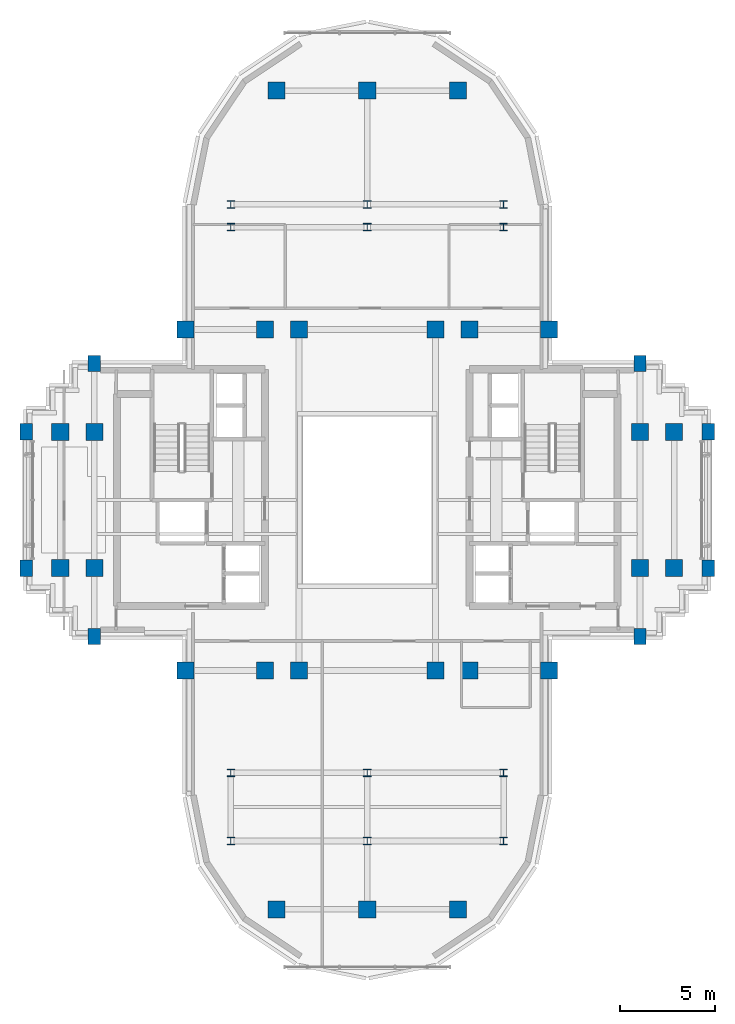
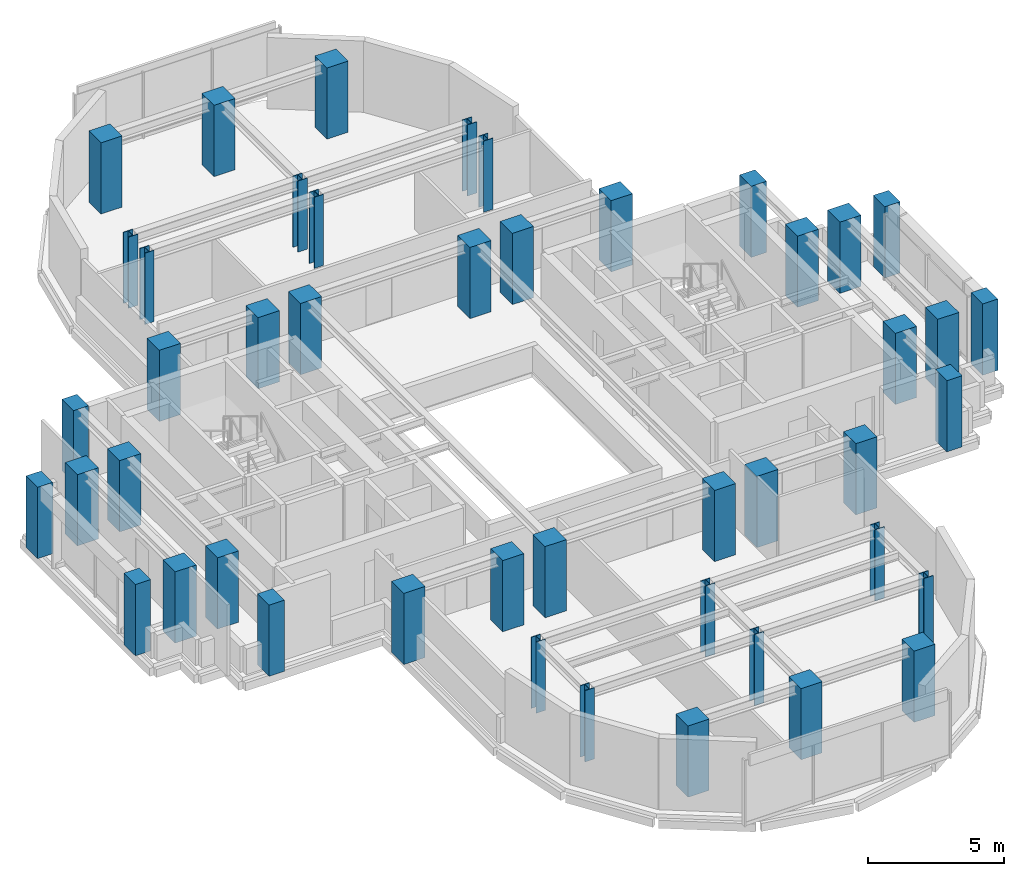
# One storey, part 1 of 11: 46 columns.
"""IFC4 building model written with IfcOpenShell, lengths in metres."""

from ifc_helpers import new_model, si_unit, direction, frame, origin, origin_2d, place, context, subcontext, project, spatial, rectangle, i_section, extrude, source, transform, mapped, material, material_profile, profile_set, type_object, element, save


model = new_model("IFC4")

# Units and contexts
model_context = context("Model", 3, precision=1e-05, world=origin(), true_north=direction((0.0, 1.0)))
body_context = subcontext(model_context, "Body", "Model", "MODEL_VIEW")
ifc_project = project(units=[si_unit("LENGTHUNIT", "METRE"), si_unit("AREAUNIT", "SQUARE_METRE"), si_unit("VOLUMEUNIT", "CUBIC_METRE"), si_unit("PLANEANGLEUNIT", "RADIAN"), si_unit("MASSUNIT", "GRAM", prefix="KILO")], contexts=[model_context])

# Site, building, storey
site_placement = place(None, origin())
site = spatial("IfcSite", under=ifc_project, at=site_placement, CompositionType="ELEMENT")
building_placement = place(site_placement, origin())
building = spatial("IfcBuilding", under=site, at=building_placement, Name="Keilestroom Media Tower", CompositionType="ELEMENT")
storey_placement = place(building_placement, frame((0.0, 0.0, 170.60009765625)))
storey = spatial("IfcBuildingStorey", under=building, at=storey_placement, Name="L46", CompositionType="ELEMENT", Elevation=170.60009765625)

# Columns
ifc_material_1 = material(Name="Precast concrete C40/50", Category="concrete")
ifc_material_profile_1 = material_profile(ifc_material_1, rectangle(XDim=0.64990234375, YDim=0.85009765625, at=origin_2d()), Name="PC 850x650")
ifc_profile_set_1 = profile_set([ifc_material_profile_1], Name="Precast concrete C40/50")
column_type_1 = type_object("IfcColumnType", Name="Structural-Column-PC-850x650", PredefinedType="COLUMN", material=ifc_profile_set_1)
shared_shape_1 = source(origin(), body_context, "Body", "SweptSolid", [
    extrude(rectangle(XDim=0.64990234375, YDim=0.85009765625, at=origin_2d()), origin(), (0.0, 0.0, 1.0), 3.199951171875),
])
for number, where, z_axis, x_axis, name in (
    (1, (-18.0, -3.60009765625, 0.0), (0.0, 0.0, 1.0), (1.0, 0.0, 0.0), "L46 Column PC-2 (-18.0,-3.6)"),
    (2, (-18.0, 3.60009765625, 0.0), (0.0, 0.0, 1.0), (1.0, 0.0, 0.0), "L46 Column PC-2 (-18.0,+3.6)"),
    (3, (-14.39990234375, -7.199951171875, 0.0), (0.0, 0.0, 1.0), (1.0, 0.0, 0.0), "L46 Column PC-2 (-14.4,-7.2)"),
    (4, (-14.39990234375, 7.199951171875, 0.0), (0.0, 0.0, 1.0), (1.0, 0.0, 0.0), "L46 Column PC-2 (-14.4,+7.2)"),
    (5, (14.39990234375, -7.199951171875, 0.0), (0.0, 0.0, 1.0), (1.0, 0.0, 0.0), "L46 Column PC-2 (+14.4,-7.2)"),
    (6, (14.39990234375, 7.199951171875, 0.0), (0.0, 0.0, 1.0), (1.0, 0.0, 0.0), "L46 Column PC-2 (+14.4,+7.2)"),
    (7, (18.0, -3.60009765625, 0.0), (0.0, 0.0, 1.0), (1.0, 0.0, 0.0), "L46 Column PC-2 (+18.0,-3.6)"),
    (8, (18.0, 3.60009765625, 0.0), (0.0, 0.0, 1.0), (1.0, 0.0, 0.0), "L46 Column PC-2 (+18.0,+3.6)"),
):
    element("IfcColumn", number, at=place(storey_placement, frame(where, z_axis=z_axis, x_axis=x_axis)), inside=storey, type_object=column_type_1, Name=name, PredefinedType="COLUMN", context=body_context, shape_type="MappedRepresentation", body=[
        mapped(shared_shape_1, transform((0.0, 0.0, 0.0), x_axis=(1.0, 0.0, 0.0), y_axis=(0.0, 1.0, 0.0), z_axis=(0.0, 0.0, 1.0), scale=1.0)),
    ])
ifc_material_2 = material(Name="Concrete C55/67", Category="concrete")
ifc_material_profile_2 = material_profile(ifc_material_2, rectangle(XDim=0.89990234375, YDim=0.89990234375, at=origin_2d()), Name="RC 900x900")
ifc_profile_set_2 = profile_set([ifc_material_profile_2], Name="Concrete C55/67")
column_type_2 = type_object("IfcColumnType", Name="Structural-Column-RC-900x900", PredefinedType="COLUMN", material=ifc_profile_set_2)
shared_shape_2 = source(origin(), body_context, "Body", "SweptSolid", [
    extrude(rectangle(XDim=0.89990234375, YDim=0.89990234375, at=origin_2d()), origin(), (0.0, 0.0, 1.0), 3.199951171875),
])
for number, where, z_axis, x_axis, name in (
    (9, (-16.199951171875, -3.60009765625, 0.0), (0.0, 0.0, 1.0), (1.0, 0.0, 0.0), "L46 Column MC-4 (-16.2,-3.6)"),
    (10, (-16.199951171875, 3.60009765625, 0.0), (0.0, 0.0, 1.0), (1.0, 0.0, 0.0), "L46 Column MC-4 (-16.2,+3.6)"),
    (11, (-14.39990234375, -3.60009765625, 0.0), (0.0, 0.0, 1.0), (1.0, 0.0, 0.0), "L46 Column MC-4 (-14.4,-3.6)"),
    (12, (-14.39990234375, 3.60009765625, 0.0), (0.0, 0.0, 1.0), (1.0, 0.0, 0.0), "L46 Column MC-4 (-14.4,+3.6)"),
    (13, (-9.60009765625, -9.0, 0.0), (0.0, 0.0, 1.0), (1.0, 0.0, 0.0), "L46 Column MC-4 (-9.6,-9.0)"),
    (14, (-9.60009765625, 9.0, 0.0), (0.0, 0.0, 1.0), (1.0, 0.0, 0.0), "L46 Column MC-4 (-9.6,+9.0)"),
    (15, (-5.39990234375, -9.0, 0.0), (0.0, 0.0, 1.0), (1.0, 0.0, 0.0), "L46 Column MC-4 (-5.4,-9.0)"),
    (16, (-5.39990234375, 9.0, 0.0), (0.0, 0.0, 1.0), (1.0, 0.0, 0.0), "L46 Column MC-4 (-5.4,+9.0)"),
    (17, (-4.800048828125, -21.60009765625, 0.0), (0.0, 0.0, 1.0), (1.0, 0.0, 0.0), "L46 Column MC-4 (-4.8,-21.6)"),
    (18, (-4.800048828125, 21.60009765625, 0.0), (0.0, 0.0, 1.0), (1.0, 0.0, 0.0), "L46 Column MC-4 (-4.8,+21.6)"),
    (19, (-3.60009765625, -9.0, 0.0), (0.0, 0.0, 1.0), (1.0, 0.0, 0.0), "L46 Column MC-4 (-3.6,-9.0)"),
    (20, (-3.60009765625, 9.0, 0.0), (0.0, 0.0, 1.0), (1.0, 0.0, 0.0), "L46 Column MC-4 (-3.6,+9.0)"),
    (21, (0.0, -21.60009765625, 0.0), (0.0, 0.0, 1.0), (1.0, 0.0, 0.0), "L46 Column MC-4 (+0.0,-21.6)"),
    (22, (0.0, 21.60009765625, 0.0), (0.0, 0.0, 1.0), (1.0, 0.0, 0.0), "L46 Column MC-4 (+0.0,+21.6)"),
    (23, (3.60009765625, -9.0, 0.0), (0.0, 0.0, 1.0), (1.0, 0.0, 0.0), "L46 Column MC-4 (+3.6,-9.0)"),
    (24, (3.60009765625, 9.0, 0.0), (0.0, 0.0, 1.0), (1.0, 0.0, 0.0), "L46 Column MC-4 (+3.6,+9.0)"),
    (25, (4.800048828125, -21.60009765625, 0.0), (0.0, 0.0, 1.0), (1.0, 0.0, 0.0), "L46 Column MC-4 (+4.8,-21.6)"),
    (26, (4.800048828125, 21.60009765625, 0.0), (0.0, 0.0, 1.0), (1.0, 0.0, 0.0), "L46 Column MC-4 (+4.8,+21.6)"),
    (27, (5.39990234375, -9.0, 0.0), (0.0, 0.0, 1.0), (1.0, 0.0, 0.0), "L46 Column MC-4 (+5.4,-9.0)"),
    (28, (5.39990234375, 9.0, 0.0), (0.0, 0.0, 1.0), (1.0, 0.0, 0.0), "L46 Column MC-4 (+5.4,+9.0)"),
    (29, (9.60009765625, -9.0, 0.0), (0.0, 0.0, 1.0), (1.0, 0.0, 0.0), "L46 Column MC-4 (+9.6,-9.0)"),
    (30, (9.60009765625, 9.0, 0.0), (0.0, 0.0, 1.0), (1.0, 0.0, 0.0), "L46 Column MC-4 (+9.6,+9.0)"),
    (31, (14.39990234375, -3.60009765625, 0.0), (0.0, 0.0, 1.0), (1.0, 0.0, 0.0), "L46 Column MC-4 (+14.4,-3.6)"),
    (32, (14.39990234375, 3.60009765625, 0.0), (0.0, 0.0, 1.0), (1.0, 0.0, 0.0), "L46 Column MC-4 (+14.4,+3.6)"),
    (33, (16.199951171875, -3.60009765625, 0.0), (0.0, 0.0, 1.0), (1.0, 0.0, 0.0), "L46 Column MC-4 (+16.2,-3.6)"),
    (34, (16.199951171875, 3.60009765625, 0.0), (0.0, 0.0, 1.0), (1.0, 0.0, 0.0), "L46 Column MC-4 (+16.2,+3.6)"),
):
    element("IfcColumn", number, at=place(storey_placement, frame(where, z_axis=z_axis, x_axis=x_axis)), inside=storey, type_object=column_type_2, Name=name, PredefinedType="COLUMN", context=body_context, shape_type="MappedRepresentation", body=[
        mapped(shared_shape_2, transform((0.0, 0.0, 0.0), x_axis=(1.0, 0.0, 0.0), y_axis=(0.0, 1.0, 0.0), z_axis=(0.0, 0.0, 1.0), scale=1.0)),
    ])
ifc_material_3 = material(Name="Steel S355", Category="steel")
ifc_material_profile_3 = material_profile(ifc_material_3, i_section(OverallWidth=0.39794921875, OverallDepth=0.386962890625, WebThickness=0.017578125, FlangeThickness=0.028076171875, at=origin_2d()), Name="HD 400x262")
ifc_profile_set_3 = profile_set([ifc_material_profile_3], Name="Steel S355")
column_type_3 = type_object("IfcColumnType", Name="Structural-Column-HD-400x262", PredefinedType="COLUMN", material=ifc_profile_set_3)
shared_shape_3 = source(origin(), body_context, "Body", "SweptSolid", [
    extrude(i_section(OverallWidth=0.39794921875, OverallDepth=0.386962890625, WebThickness=0.017578125, FlangeThickness=0.028076171875, at=origin_2d()), origin(), (0.0, 0.0, 1.0), 3.199951171875),
])
for number, where, z_axis, x_axis, name in (
    (35, (-7.199951171875, -18.0, 0.0), (0.0, 0.0, 1.0), (1.0, 0.0, 0.0), "L46 Column SC-4 (-7.2,-18.0)"),
    (36, (-7.199951171875, -14.39990234375, 0.0), (0.0, 0.0, 1.0), (1.0, 0.0, 0.0), "L46 Column SC-4 (-7.2,-14.4)"),
    (37, (-7.199951171875, 14.39990234375, 0.0), (0.0, 0.0, 1.0), (1.0, 0.0, 0.0), "L46 Column SC-4 (-7.2,+14.4)"),
    (38, (-7.199951171875, 15.60009765625, 0.0), (0.0, 0.0, 1.0), (1.0, 0.0, 0.0), "L46 Column SC-4 (-7.2,+15.6)"),
    (39, (0.0, -18.0, 0.0), (0.0, 0.0, 1.0), (1.0, 0.0, 0.0), "L46 Column SC-4 (+0.0,-18.0)"),
    (40, (0.0, -14.39990234375, 0.0), (0.0, 0.0, 1.0), (1.0, 0.0, 0.0), "L46 Column SC-4 (+0.0,-14.4)"),
    (41, (0.0, 14.39990234375, 0.0), (0.0, 0.0, 1.0), (1.0, 0.0, 0.0), "L46 Column SC-4 (+0.0,+14.4)"),
    (42, (0.0, 15.60009765625, 0.0), (0.0, 0.0, 1.0), (1.0, 0.0, 0.0), "L46 Column SC-4 (+0.0,+15.6)"),
    (43, (7.199951171875, -18.0, 0.0), (0.0, 0.0, 1.0), (1.0, 0.0, 0.0), "L46 Column SC-4 (+7.2,-18.0)"),
    (44, (7.199951171875, -14.39990234375, 0.0), (0.0, 0.0, 1.0), (1.0, 0.0, 0.0), "L46 Column SC-4 (+7.2,-14.4)"),
    (45, (7.199951171875, 14.39990234375, 0.0), (0.0, 0.0, 1.0), (1.0, 0.0, 0.0), "L46 Column SC-4 (+7.2,+14.4)"),
    (46, (7.199951171875, 15.60009765625, 0.0), (0.0, 0.0, 1.0), (1.0, 0.0, 0.0), "L46 Column SC-4 (+7.2,+15.6)"),
):
    element("IfcColumn", number, at=place(storey_placement, frame(where, z_axis=z_axis, x_axis=x_axis)), inside=storey, type_object=column_type_3, Name=name, PredefinedType="COLUMN", context=body_context, shape_type="MappedRepresentation", body=[
        mapped(shared_shape_3, transform((0.0, 0.0, 0.0), x_axis=(1.0, 0.0, 0.0), y_axis=(0.0, 1.0, 0.0), z_axis=(0.0, 0.0, 1.0), scale=1.0)),
    ])

save(model, "model.ifc")
